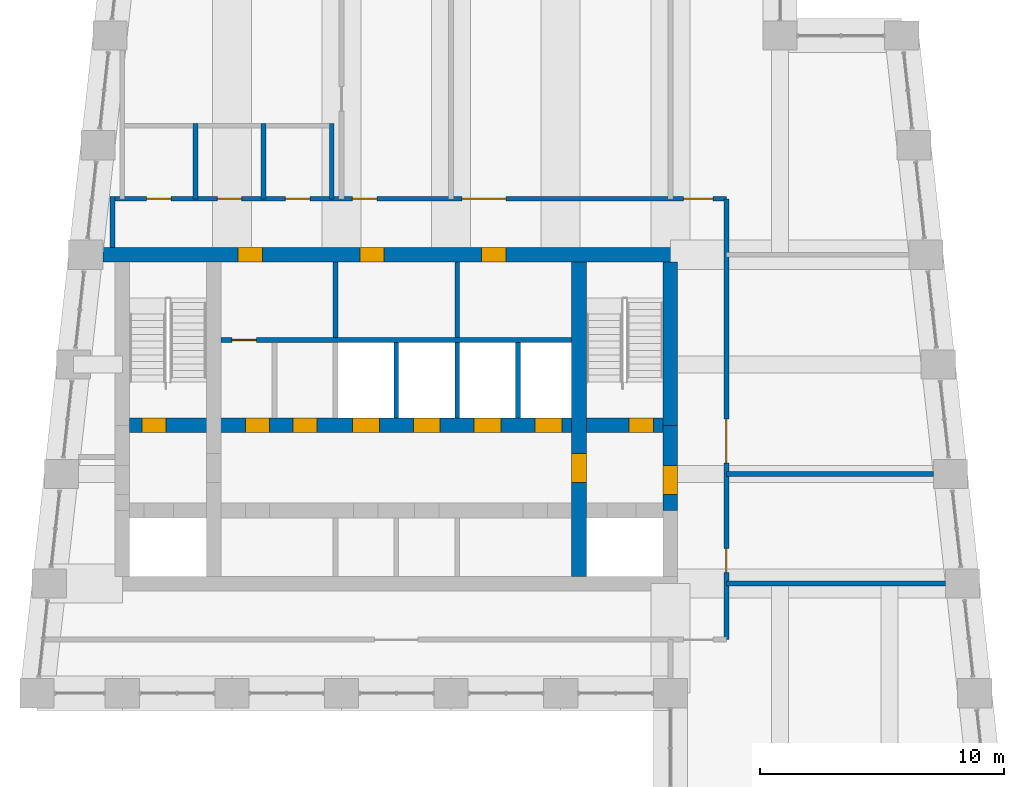
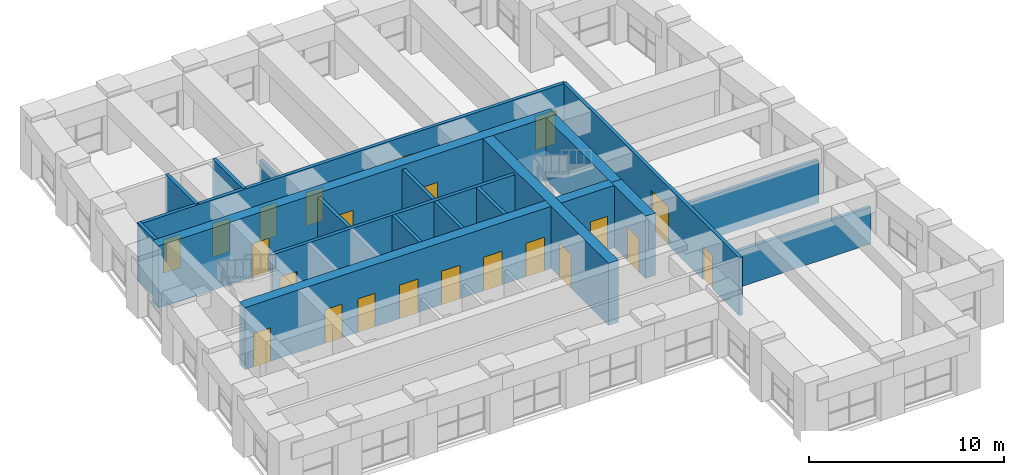
# One storey, part 13 of 15: 22 doors, 19 walls, 22 openings.
"""IFC4 building model written with IfcOpenShell, lengths in metres."""

from ifc_helpers import new_model, si_unit, direction, frame, frame_2d, origin, place, context, subcontext, project, spatial, rectangle, extrude, material, layer, layer_set, type_object, element, fill, save


model = new_model("IFC4")

# Units and contexts
model_context = context("Model", 3, precision=1e-05, world=origin(), true_north=direction((0.0, 1.0)))
body_context = subcontext(model_context, "Body", "Model", "MODEL_VIEW")
ifc_project = project(units=[si_unit("LENGTHUNIT", "METRE"), si_unit("AREAUNIT", "SQUARE_METRE"), si_unit("VOLUMEUNIT", "CUBIC_METRE"), si_unit("PLANEANGLEUNIT", "RADIAN"), si_unit("MASSUNIT", "GRAM", prefix="KILO")], contexts=[model_context])

# Site, building, storey
site_placement = place(None, origin())
site = spatial("IfcSite", under=ifc_project, at=site_placement, CompositionType="ELEMENT")
building_placement = place(site_placement, origin())
building = spatial("IfcBuilding", under=site, at=building_placement, Name="Kilele Tower Hotel", CompositionType="ELEMENT")
storey_placement = place(building_placement, frame((0.0, 0.0, 285.800048828125)))
storey = spatial("IfcBuildingStorey", under=building, at=storey_placement, Name="L73", CompositionType="ELEMENT", Elevation=285.800048828125)

# Wall, openings, doors
ifc_material_1 = material(Name="Concrete C60/75", Category="concrete")
ifc_layer_1 = layer(ifc_material_1, 0.60009765625)
ifc_layer_set_1 = layer_set([ifc_layer_1], Name="Concrete C60/75")
wall_type_1 = type_object("IfcWallType", Name="Core wall 600 C60/75", PredefinedType="SHEAR", material=ifc_layer_set_1)
wall_1_placement = place(storey_placement, frame((36.300048828125, 27.0, 0.0), z_axis=(0.0, 0.0, 1.0), x_axis=(-1.0, 0.0, 0.0)))
wall_1 = element("IfcWall", 1, at=wall_1_placement, inside=storey, type_object=wall_type_1, Name="Core wall N L73", PredefinedType="SHEAR", context=body_context, shape_type="SweptSolid", body=[
    extrude(rectangle(XDim=23.60009765625, YDim=0.60009765625, at=frame_2d((11.800048828125, 0.0))), origin(), (0.0, 0.0, 1.0), 3.89990234375),
])
opening_1_placement = place(wall_1_placement, frame((17.050048828125, 0.0, 0.0)))
opening_1 = element("IfcOpeningElement", 2, at=opening_1_placement, cuts=wall_1, Name="Opening D12", PredefinedType="OPENING", context=body_context, shape_type="SweptSolid", body=[
    extrude(rectangle(XDim=1.0, YDim=2.10009765625, at=frame_2d((0.5, 1.050048828125))), frame((0.0, 0.31005859375, 0.0), z_axis=(0.0, -1.0, 0.0), x_axis=(1.0, 0.0, 0.0)), (0.0, 0.0, 1.0), 0.6201171875),
])
opening_2_placement = place(wall_1_placement, frame((12.050048828125, 0.0, 0.0)))
opening_2 = element("IfcOpeningElement", 3, at=opening_2_placement, cuts=wall_1, Name="Opening D6", PredefinedType="OPENING", context=body_context, shape_type="SweptSolid", body=[
    extrude(rectangle(XDim=1.0, YDim=2.10009765625, at=frame_2d((0.5, 1.050048828125))), frame((0.0, 0.31005859375, 0.0), z_axis=(0.0, -1.0, 0.0), x_axis=(1.0, 0.0, 0.0)), (0.0, 0.0, 1.0), 0.6201171875),
])
opening_3_placement = place(wall_1_placement, frame((7.050048828125, 0.0, 0.0)))
opening_3 = element("IfcOpeningElement", 4, at=opening_3_placement, cuts=wall_1, Name="Opening D6", PredefinedType="OPENING", context=body_context, shape_type="SweptSolid", body=[
    extrude(rectangle(XDim=1.0, YDim=2.10009765625, at=frame_2d((0.5, 1.050048828125))), frame((0.0, 0.31005859375, 0.0), z_axis=(0.0, -1.0, 0.0), x_axis=(1.0, 0.0, 0.0)), (0.0, 0.0, 1.0), 0.6201171875),
])
ifc_material_2 = material(Name="Timber door leaf in hardwood frame", Category="wood")
door_type_1 = type_object("IfcDoorType", Name="Core lobby door 1000", OperationType="SINGLE_SWING_LEFT", PredefinedType="DOOR", material=ifc_material_2)
door_1_placement = place(opening_1_placement, origin())
door_1 = element("IfcDoor", 5, at=door_1_placement, inside=storey, type_object=door_type_1, Name="North lobby door L73", OperationType="SINGLE_SWING_RIGHT", OverallHeight=2.10009765625, OverallWidth=1.0, PredefinedType="DOOR", context=body_context, shape_type="SweptSolid", body=[
    extrude(rectangle(XDim=1.0, YDim=2.10009765625, at=frame_2d((0.5, 1.050048828125))), frame((0.0, 0.2998046875, 0.0), z_axis=(0.0, -1.0, 0.0), x_axis=(1.0, 0.0, 0.0)), (0.0, 0.0, 1.0), 0.599609375),
])
fill(opening_1, door_1)
ifc_material_3 = material(Name="Timber door leaf in hardwood frame", Category="wood")
door_type_2 = type_object("IfcDoorType", Name="Riser door 1000", OperationType="SINGLE_SWING_LEFT", PredefinedType="DOOR", material=ifc_material_3)
door_2_placement = place(opening_2_placement, origin())
door_2 = element("IfcDoor", 6, at=door_2_placement, inside=storey, type_object=door_type_2, Name="Linen store door L73", OperationType="SINGLE_SWING_RIGHT", OverallHeight=2.10009765625, OverallWidth=1.0, PredefinedType="DOOR", context=body_context, shape_type="SweptSolid", body=[
    extrude(rectangle(XDim=1.0, YDim=2.10009765625, at=frame_2d((0.5, 1.050048828125))), frame((0.0, 0.2998046875, 0.0), z_axis=(0.0, -1.0, 0.0), x_axis=(1.0, 0.0, 0.0)), (0.0, 0.0, 1.0), 0.599609375),
])
fill(opening_2, door_2)
door_3_placement = place(opening_3_placement, origin())
door_3 = element("IfcDoor", 7, at=door_3_placement, inside=storey, type_object=door_type_2, Name="Electrical riser door L73", OperationType="SINGLE_SWING_RIGHT", OverallHeight=2.10009765625, OverallWidth=1.0, PredefinedType="DOOR", context=body_context, shape_type="SweptSolid", body=[
    extrude(rectangle(XDim=1.0, YDim=2.10009765625, at=frame_2d((0.5, 1.050048828125))), frame((0.0, 0.2998046875, 0.0), z_axis=(0.0, -1.0, 0.0), x_axis=(1.0, 0.0, 0.0)), (0.0, 0.0, 1.0), 0.599609375),
])
fill(opening_3, door_3)

# Wall, opening, door
wall_2_placement = place(storey_placement, frame((32.25, 13.800048828125, 0.0), z_axis=(0.0, 0.0, 1.0), x_axis=(0.0, 1.0, 0.0)))
wall_2 = element("IfcWall", 8, at=wall_2_placement, inside=storey, type_object=wall_type_1, Name="Core wall IE L73", PredefinedType="SHEAR", context=body_context, shape_type="SweptSolid", body=[
    extrude(rectangle(XDim=12.89990234375, YDim=0.60009765625, at=frame_2d((6.449951171875, 0.0))), origin(), (0.0, 0.0, 1.0), 3.89990234375),
])
opening_4_placement = place(wall_2_placement, frame((5.050048828125, 0.0, 0.0), z_axis=(0.0, 0.0, 1.0), x_axis=(-1.0, 0.0, 0.0)))
opening_4 = element("IfcOpeningElement", 9, at=opening_4_placement, cuts=wall_2, Name="Opening D4", PredefinedType="OPENING", context=body_context, shape_type="SweptSolid", body=[
    extrude(rectangle(XDim=1.199951171875, YDim=2.10009765625, at=frame_2d((0.60009765625, 1.050048828125))), frame((0.0, 0.31005859375, 0.0), z_axis=(0.0, -1.0, 0.0), x_axis=(1.0, 0.0, 0.0)), (0.0, 0.0, 1.0), 0.6201171875),
])
ifc_material_4 = material(Name="Timber door leaf in hardwood frame", Category="wood")
door_type_3 = type_object("IfcDoorType", Name="Firefighting lobby door 1200", OperationType="SINGLE_SWING_LEFT", PredefinedType="DOOR", material=ifc_material_4)
door_4_placement = place(opening_4_placement, origin())
door_4 = element("IfcDoor", 10, at=door_4_placement, inside=storey, type_object=door_type_3, Name="Lobby door L73", OperationType="SINGLE_SWING_RIGHT", OverallHeight=2.10009765625, OverallWidth=1.199951171875, PredefinedType="DOOR", context=body_context, shape_type="SweptSolid", body=[
    extrude(rectangle(XDim=1.199951171875, YDim=2.10009765625, at=frame_2d((0.60009765625, 1.050048828125))), frame((0.0, 0.2998046875, 0.0), z_axis=(0.0, -1.0, 0.0), x_axis=(1.0, 0.0, 0.0)), (0.0, 0.0, 1.0), 0.599609375),
])
fill(opening_4, door_4)

# Wall, openings, doors
wall_3_placement = place(storey_placement, frame((13.800048828125, 20.0, 0.0), z_axis=(0.0, 0.0, 1.0), x_axis=(1.0, 0.0, 0.0)))
wall_3 = element("IfcWall", 11, at=wall_3_placement, inside=storey, type_object=wall_type_1, Name="Core wall LN L73", PredefinedType="SHEAR", context=body_context, shape_type="SweptSolid", body=[
    extrude(rectangle(XDim=21.89990234375, YDim=0.60009765625, at=frame_2d((10.949951171875, 0.0))), origin(), (0.0, 0.0, 1.0), 3.89990234375),
])
opening_5_placement = place(wall_3_placement, frame((0.5, 0.0, 0.0)))
opening_5 = element("IfcOpeningElement", 12, at=opening_5_placement, cuts=wall_3, Name="Opening D5", PredefinedType="OPENING", context=body_context, shape_type="SweptSolid", body=[
    extrude(rectangle(XDim=1.0, YDim=2.10009765625, at=frame_2d((0.5, 1.050048828125))), frame((0.0, 0.31005859375, 0.0), z_axis=(0.0, -1.0, 0.0), x_axis=(1.0, 0.0, 0.0)), (0.0, 0.0, 1.0), 0.6201171875),
])
opening_6_placement = place(wall_3_placement, frame((20.5, 0.0, 0.0)))
opening_6 = element("IfcOpeningElement", 13, at=opening_6_placement, cuts=wall_3, Name="Opening D5", PredefinedType="OPENING", context=body_context, shape_type="SweptSolid", body=[
    extrude(rectangle(XDim=1.0, YDim=2.10009765625, at=frame_2d((0.5, 1.050048828125))), frame((0.0, 0.31005859375, 0.0), z_axis=(0.0, -1.0, 0.0), x_axis=(1.0, 0.0, 0.0)), (0.0, 0.0, 1.0), 0.6201171875),
])
opening_7_placement = place(wall_3_placement, frame((9.14990234375, 0.0, 0.0)))
opening_7 = element("IfcOpeningElement", 14, at=opening_7_placement, cuts=wall_3, Name="Opening LD1", PredefinedType="OPENING", context=body_context, shape_type="SweptSolid", body=[
    extrude(rectangle(XDim=1.10009765625, YDim=2.10009765625, at=frame_2d((0.550048828125, 1.050048828125))), frame((0.0, 0.31005859375, 0.0), z_axis=(0.0, -1.0, 0.0), x_axis=(1.0, 0.0, 0.0)), (0.0, 0.0, 1.0), 0.6201171875),
])
opening_8_placement = place(wall_3_placement, frame((11.64990234375, 0.0, 0.0)))
opening_8 = element("IfcOpeningElement", 15, at=opening_8_placement, cuts=wall_3, Name="Opening LD1", PredefinedType="OPENING", context=body_context, shape_type="SweptSolid", body=[
    extrude(rectangle(XDim=1.10009765625, YDim=2.10009765625, at=frame_2d((0.550048828125, 1.050048828125))), frame((0.0, 0.31005859375, 0.0), z_axis=(0.0, -1.0, 0.0), x_axis=(1.0, 0.0, 0.0)), (0.0, 0.0, 1.0), 0.6201171875),
])
opening_9_placement = place(wall_3_placement, frame((14.14990234375, 0.0, 0.0)))
opening_9 = element("IfcOpeningElement", 16, at=opening_9_placement, cuts=wall_3, Name="Opening LD1", PredefinedType="OPENING", context=body_context, shape_type="SweptSolid", body=[
    extrude(rectangle(XDim=1.10009765625, YDim=2.10009765625, at=frame_2d((0.550048828125, 1.050048828125))), frame((0.0, 0.31005859375, 0.0), z_axis=(0.0, -1.0, 0.0), x_axis=(1.0, 0.0, 0.0)), (0.0, 0.0, 1.0), 0.6201171875),
])
opening_10_placement = place(wall_3_placement, frame((16.64990234375, 0.0, 0.0)))
opening_10 = element("IfcOpeningElement", 17, at=opening_10_placement, cuts=wall_3, Name="Opening LD1", PredefinedType="OPENING", context=body_context, shape_type="SweptSolid", body=[
    extrude(rectangle(XDim=1.10009765625, YDim=2.10009765625, at=frame_2d((0.550048828125, 1.050048828125))), frame((0.0, 0.31005859375, 0.0), z_axis=(0.0, -1.0, 0.0), x_axis=(1.0, 0.0, 0.0)), (0.0, 0.0, 1.0), 0.6201171875),
])
opening_11_placement = place(wall_3_placement, frame((5.75, 0.0, 0.0), z_axis=(0.0, 0.0, 1.0), x_axis=(-1.0, 0.0, 0.0)))
opening_11 = element("IfcOpeningElement", 18, at=opening_11_placement, cuts=wall_3, Name="Opening D12", PredefinedType="OPENING", context=body_context, shape_type="SweptSolid", body=[
    extrude(rectangle(XDim=1.0, YDim=2.10009765625, at=frame_2d((0.5, 1.050048828125))), frame((0.0, 0.31005859375, 0.0), z_axis=(0.0, -1.0, 0.0), x_axis=(1.0, 0.0, 0.0)), (0.0, 0.0, 1.0), 0.6201171875),
])
opening_12_placement = place(wall_3_placement, frame((6.699951171875, 0.0, 0.0)))
opening_12 = element("IfcOpeningElement", 19, at=opening_12_placement, cuts=wall_3, Name="Opening D11", PredefinedType="OPENING", context=body_context, shape_type="SweptSolid", body=[
    extrude(rectangle(XDim=1.0, YDim=2.10009765625, at=frame_2d((0.5, 1.050048828125))), frame((0.0, 0.31005859375, 0.0), z_axis=(0.0, -1.0, 0.0), x_axis=(1.0, 0.0, 0.0)), (0.0, 0.0, 1.0), 0.6201171875),
])
door_5_placement = place(opening_11_placement, origin())
door_5 = element("IfcDoor", 20, at=door_5_placement, inside=storey, type_object=door_type_1, Name="Core passage door L73", OperationType="SINGLE_SWING_RIGHT", OverallHeight=2.10009765625, OverallWidth=1.0, PredefinedType="DOOR", context=body_context, shape_type="SweptSolid", body=[
    extrude(rectangle(XDim=1.0, YDim=2.10009765625, at=frame_2d((0.5, 1.050048828125))), frame((0.0, 0.2998046875, 0.0), z_axis=(0.0, -1.0, 0.0), x_axis=(1.0, 0.0, 0.0)), (0.0, 0.0, 1.0), 0.599609375),
])
fill(opening_11, door_5)
ifc_material_5 = material(Name="Timber door leaf in hardwood frame", Category="wood")
door_type_4 = type_object("IfcDoorType", Name="Core store door 1000", OperationType="SINGLE_SWING_LEFT", PredefinedType="DOOR", material=ifc_material_5)
door_6_placement = place(opening_12_placement, origin())
door_6 = element("IfcDoor", 21, at=door_6_placement, inside=storey, type_object=door_type_4, Name="Core room door S2 L73", OperationType="SINGLE_SWING_LEFT", OverallHeight=2.10009765625, OverallWidth=1.0, PredefinedType="DOOR", context=body_context, shape_type="SweptSolid", body=[
    extrude(rectangle(XDim=1.0, YDim=2.10009765625, at=frame_2d((0.5, 1.050048828125))), frame((0.0, 0.2998046875, 0.0), z_axis=(0.0, -1.0, 0.0), x_axis=(1.0, 0.0, 0.0)), (0.0, 0.0, 1.0), 0.599609375),
])
fill(opening_12, door_6)
ifc_material_6 = material(Name="Steel lift landing door", Category="steel")
door_type_5 = type_object("IfcDoorType", Name="Lift landing door 1100", OperationType="SLIDING_TO_LEFT", PredefinedType="DOOR", material=ifc_material_6)
door_7_placement = place(opening_7_placement, origin())
door_7 = element("IfcDoor", 22, at=door_7_placement, inside=storey, type_object=door_type_5, Name="Landing door H1 L73", OperationType="SLIDING_TO_LEFT", OverallHeight=2.10009765625, OverallWidth=1.10009765625, PredefinedType="DOOR", context=body_context, shape_type="SweptSolid", body=[
    extrude(rectangle(XDim=1.10009765625, YDim=2.10009765625, at=frame_2d((0.550048828125, 1.050048828125))), frame((0.0, 0.2998046875, 0.0), z_axis=(0.0, -1.0, 0.0), x_axis=(1.0, 0.0, 0.0)), (0.0, 0.0, 1.0), 0.599609375),
])
fill(opening_7, door_7)
door_8_placement = place(opening_8_placement, origin())
door_8 = element("IfcDoor", 23, at=door_8_placement, inside=storey, type_object=door_type_5, Name="Landing door H2 L73", OperationType="SLIDING_TO_LEFT", OverallHeight=2.10009765625, OverallWidth=1.10009765625, PredefinedType="DOOR", context=body_context, shape_type="SweptSolid", body=[
    extrude(rectangle(XDim=1.10009765625, YDim=2.10009765625, at=frame_2d((0.550048828125, 1.050048828125))), frame((0.0, 0.2998046875, 0.0), z_axis=(0.0, -1.0, 0.0), x_axis=(1.0, 0.0, 0.0)), (0.0, 0.0, 1.0), 0.599609375),
])
fill(opening_8, door_8)
door_9_placement = place(opening_9_placement, origin())
door_9 = element("IfcDoor", 24, at=door_9_placement, inside=storey, type_object=door_type_5, Name="Landing door H3 L73", OperationType="SLIDING_TO_LEFT", OverallHeight=2.10009765625, OverallWidth=1.10009765625, PredefinedType="DOOR", context=body_context, shape_type="SweptSolid", body=[
    extrude(rectangle(XDim=1.10009765625, YDim=2.10009765625, at=frame_2d((0.550048828125, 1.050048828125))), frame((0.0, 0.2998046875, 0.0), z_axis=(0.0, -1.0, 0.0), x_axis=(1.0, 0.0, 0.0)), (0.0, 0.0, 1.0), 0.599609375),
])
fill(opening_9, door_9)
door_10_placement = place(opening_10_placement, origin())
door_10 = element("IfcDoor", 25, at=door_10_placement, inside=storey, type_object=door_type_5, Name="Landing door G1 L73", OperationType="SLIDING_TO_LEFT", OverallHeight=2.10009765625, OverallWidth=1.10009765625, PredefinedType="DOOR", context=body_context, shape_type="SweptSolid", body=[
    extrude(rectangle(XDim=1.10009765625, YDim=2.10009765625, at=frame_2d((0.550048828125, 1.050048828125))), frame((0.0, 0.2998046875, 0.0), z_axis=(0.0, -1.0, 0.0), x_axis=(1.0, 0.0, 0.0)), (0.0, 0.0, 1.0), 0.599609375),
])
fill(opening_10, door_10)
ifc_material_7 = material(Name="Timber door leaf in hardwood frame", Category="wood")
door_type_6 = type_object("IfcDoorType", Name="Stair door 1000", OperationType="SINGLE_SWING_LEFT", PredefinedType="DOOR", material=ifc_material_7)
door_11_placement = place(opening_5_placement, origin())
door_11 = element("IfcDoor", 26, at=door_11_placement, inside=storey, type_object=door_type_6, Name="Stair 1 door L73", OperationType="SINGLE_SWING_LEFT", OverallHeight=2.10009765625, OverallWidth=1.0, PredefinedType="DOOR", context=body_context, shape_type="SweptSolid", body=[
    extrude(rectangle(XDim=1.0, YDim=2.10009765625, at=frame_2d((0.5, 1.050048828125))), frame((0.0, 0.2998046875, 0.0), z_axis=(0.0, -1.0, 0.0), x_axis=(1.0, 0.0, 0.0)), (0.0, 0.0, 1.0), 0.599609375),
])
fill(opening_5, door_11)
door_12_placement = place(opening_6_placement, origin())
door_12 = element("IfcDoor", 27, at=door_12_placement, inside=storey, type_object=door_type_6, Name="Stair 2 door L73", OperationType="SINGLE_SWING_RIGHT", OverallHeight=2.10009765625, OverallWidth=1.0, PredefinedType="DOOR", context=body_context, shape_type="SweptSolid", body=[
    extrude(rectangle(XDim=1.0, YDim=2.10009765625, at=frame_2d((0.5, 1.050048828125))), frame((0.0, 0.2998046875, 0.0), z_axis=(0.0, -1.0, 0.0), x_axis=(1.0, 0.0, 0.0)), (0.0, 0.0, 1.0), 0.599609375),
])
fill(opening_6, door_12)

# Wall, opening, door
wall_4_placement = place(storey_placement, frame((36.0, 16.5, 0.0), z_axis=(0.0, 0.0, 1.0), x_axis=(0.0, 1.0, 0.0)))
wall_4 = element("IfcWall", 28, at=wall_4_placement, inside=storey, type_object=wall_type_1, Name="Core wall E2 L73", PredefinedType="SHEAR", context=body_context, shape_type="SweptSolid", body=[
    extrude(rectangle(XDim=3.5, YDim=0.60009765625, at=frame_2d((1.75, 0.0))), origin(), (0.0, 0.0, 1.0), 3.89990234375),
])
opening_13_placement = place(wall_4_placement, frame((0.64990234375, 0.0, 0.0)))
opening_13 = element("IfcOpeningElement", 29, at=opening_13_placement, cuts=wall_4, Name="Opening D4", PredefinedType="OPENING", context=body_context, shape_type="SweptSolid", body=[
    extrude(rectangle(XDim=1.199951171875, YDim=2.10009765625, at=frame_2d((0.60009765625, 1.050048828125))), frame((0.0, 0.31005859375, 0.0), z_axis=(0.0, -1.0, 0.0), x_axis=(1.0, 0.0, 0.0)), (0.0, 0.0, 1.0), 0.6201171875),
])
door_13_placement = place(opening_13_placement, origin())
door_13 = element("IfcDoor", 30, at=door_13_placement, inside=storey, type_object=door_type_3, Name="Lobby door L73", OperationType="SINGLE_SWING_LEFT", OverallHeight=2.10009765625, OverallWidth=1.199951171875, PredefinedType="DOOR", context=body_context, shape_type="SweptSolid", body=[
    extrude(rectangle(XDim=1.199951171875, YDim=2.10009765625, at=frame_2d((0.60009765625, 1.050048828125))), frame((0.0, 0.2998046875, 0.0), z_axis=(0.0, -1.0, 0.0), x_axis=(1.0, 0.0, 0.0)), (0.0, 0.0, 1.0), 0.599609375),
])
fill(opening_13, door_13)

# Wall
wall_5_placement = place(storey_placement, frame((36.0, 20.0, 0.0), z_axis=(0.0, 0.0, 1.0), x_axis=(0.0, 1.0, 0.0)))
element("IfcWall", 31, at=wall_5_placement, inside=storey, type_object=wall_type_1, Name="Core wall E3 L73", PredefinedType="SHEAR", context=body_context, shape_type="SweptSolid", body=[
    extrude(rectangle(XDim=6.699951171875, YDim=0.60009765625, at=frame_2d((3.35009765625, 0.0))), origin(), (0.0, 0.0, 1.0), 3.89990234375),
])

# Wall, openings, doors
ifc_material_8 = material(Name="Blockwork, plastered both sides", Category="masonry")
ifc_layer_2 = layer(ifc_material_8, 0.199951171875)
ifc_layer_set_2 = layer_set([ifc_layer_2], Name="Blockwork, plastered both sides")
wall_type_2 = type_object("IfcWallType", Name="Corridor wall 200", PredefinedType="PARTITIONING", material=ifc_layer_set_2)
wall_6_placement = place(storey_placement, frame((38.300048828125, 11.199951171875, 0.0), z_axis=(0.0, 0.0, 1.0), x_axis=(0.0, 1.0, 0.0)))
wall_6 = element("IfcWall", 32, at=wall_6_placement, inside=storey, type_object=wall_type_2, Name="Corridor wall 200 L73", PredefinedType="PARTITIONING", context=body_context, shape_type="SweptSolid", body=[
    extrude(rectangle(XDim=18.10009765625, YDim=0.199951171875, at=frame_2d((9.050048828125, 0.0))), origin(), (0.0, 0.0, 1.0), 3.64990234375),
])
opening_14_placement = place(wall_6_placement, frame((3.75, 0.0, 0.0), z_axis=(0.0, 0.0, 1.0), x_axis=(-1.0, 0.0, 0.0)))
opening_14 = element("IfcOpeningElement", 33, at=opening_14_placement, cuts=wall_6, Name="Opening D8", PredefinedType="OPENING", context=body_context, shape_type="SweptSolid", body=[
    extrude(rectangle(XDim=1.0, YDim=2.10009765625, at=frame_2d((0.5, 1.050048828125))), frame((0.0, 0.10986328125, 0.0), z_axis=(0.0, -1.0, 0.0), x_axis=(1.0, 0.0, 0.0)), (0.0, 0.0, 1.0), 0.219970703125),
])
opening_15_placement = place(wall_6_placement, frame((9.050048828125, 0.0, 0.0), z_axis=(0.0, 0.0, 1.0), x_axis=(-1.0, 0.0, 0.0)))
opening_15 = element("IfcOpeningElement", 34, at=opening_15_placement, cuts=wall_6, Name="Opening D9", PredefinedType="OPENING", context=body_context, shape_type="SweptSolid", body=[
    extrude(rectangle(XDim=1.800048828125, YDim=2.39990234375, at=frame_2d((0.89990234375, 1.199951171875))), frame((0.0, 0.10986328125, 0.0), z_axis=(0.0, -1.0, 0.0), x_axis=(1.0, 0.0, 0.0)), (0.0, 0.0, 1.0), 0.219970703125),
])
ifc_material_9 = material(Name="Timber door leaf in hardwood frame", Category="wood")
door_type_7 = type_object("IfcDoorType", Name="Door 1000", OperationType="SINGLE_SWING_LEFT", PredefinedType="DOOR", material=ifc_material_9)
door_14_placement = place(opening_14_placement, origin())
door_14 = element("IfcDoor", 35, at=door_14_placement, inside=storey, type_object=door_type_7, Name="Door Bar pantry 7301", OperationType="SINGLE_SWING_RIGHT", OverallHeight=2.10009765625, OverallWidth=1.0, PredefinedType="DOOR", context=body_context, shape_type="SweptSolid", body=[
    extrude(rectangle(XDim=1.0, YDim=2.10009765625, at=frame_2d((0.5, 1.050048828125))), frame((0.0, 0.02490234375, 0.0), z_axis=(0.0, -1.0, 0.0), x_axis=(1.0, 0.0, 0.0)), (0.0, 0.0, 1.0), 0.050048828125),
])
fill(opening_14, door_14)
ifc_material_10 = material(Name="Timber door leaf in hardwood frame", Category="wood")
door_type_8 = type_object("IfcDoorType", Name="Double door 1800", OperationType="DOUBLE_DOOR_SINGLE_SWING", PredefinedType="DOOR", material=ifc_material_10)
door_15_placement = place(opening_15_placement, origin())
door_15 = element("IfcDoor", 36, at=door_15_placement, inside=storey, type_object=door_type_8, Name="Door Champagne lounge 7302", OperationType="DOUBLE_DOOR_SINGLE_SWING", OverallHeight=2.39990234375, OverallWidth=1.800048828125, PredefinedType="DOOR", context=body_context, shape_type="SweptSolid", body=[
    extrude(rectangle(XDim=1.800048828125, YDim=2.39990234375, at=frame_2d((0.89990234375, 1.199951171875))), frame((0.0, 0.02490234375, 0.0), z_axis=(0.0, -1.0, 0.0), x_axis=(1.0, 0.0, 0.0)), (0.0, 0.0, 1.0), 0.050048828125),
])
fill(opening_15, door_15)

wall_7_placement = place(storey_placement, frame((13.0, 29.300048828125, 0.0), z_axis=(0.0, 0.0, 1.0), x_axis=(1.0, 0.0, 0.0)))
wall_7 = element("IfcWall", 37, at=wall_7_placement, inside=storey, type_object=wall_type_2, Name="Corridor wall 200 L73", PredefinedType="PARTITIONING", context=body_context, shape_type="SweptSolid", body=[
    extrude(rectangle(XDim=25.300048828125, YDim=0.199951171875, at=frame_2d((12.64990234375, 0.0))), origin(), (0.0, 0.0, 1.0), 3.64990234375),
])
opening_16_placement = place(wall_7_placement, frame((1.5, 0.0, 0.0)))
opening_16 = element("IfcOpeningElement", 38, at=opening_16_placement, cuts=wall_7, Name="Opening D8", PredefinedType="OPENING", context=body_context, shape_type="SweptSolid", body=[
    extrude(rectangle(XDim=1.0, YDim=2.10009765625, at=frame_2d((0.5, 1.050048828125))), frame((0.0, 0.10986328125, 0.0), z_axis=(0.0, -1.0, 0.0), x_axis=(1.0, 0.0, 0.0)), (0.0, 0.0, 1.0), 0.219970703125),
])
opening_17_placement = place(wall_7_placement, frame((4.39990234375, 0.0, 0.0)))
opening_17 = element("IfcOpeningElement", 39, at=opening_17_placement, cuts=wall_7, Name="Opening D8", PredefinedType="OPENING", context=body_context, shape_type="SweptSolid", body=[
    extrude(rectangle(XDim=1.0, YDim=2.10009765625, at=frame_2d((0.5, 1.050048828125))), frame((0.0, 0.10986328125, 0.0), z_axis=(0.0, -1.0, 0.0), x_axis=(1.0, 0.0, 0.0)), (0.0, 0.0, 1.0), 0.219970703125),
])
opening_18_placement = place(wall_7_placement, frame((7.199951171875, 0.0, 0.0)))
opening_18 = element("IfcOpeningElement", 40, at=opening_18_placement, cuts=wall_7, Name="Opening D8", PredefinedType="OPENING", context=body_context, shape_type="SweptSolid", body=[
    extrude(rectangle(XDim=1.0, YDim=2.10009765625, at=frame_2d((0.5, 1.050048828125))), frame((0.0, 0.10986328125, 0.0), z_axis=(0.0, -1.0, 0.0), x_axis=(1.0, 0.0, 0.0)), (0.0, 0.0, 1.0), 0.219970703125),
])
opening_19_placement = place(wall_7_placement, frame((9.949951171875, 0.0, 0.0)))
opening_19 = element("IfcOpeningElement", 41, at=opening_19_placement, cuts=wall_7, Name="Opening D8", PredefinedType="OPENING", context=body_context, shape_type="SweptSolid", body=[
    extrude(rectangle(XDim=1.0, YDim=2.10009765625, at=frame_2d((0.5, 1.050048828125))), frame((0.0, 0.10986328125, 0.0), z_axis=(0.0, -1.0, 0.0), x_axis=(1.0, 0.0, 0.0)), (0.0, 0.0, 1.0), 0.219970703125),
])
opening_20_placement = place(wall_7_placement, frame((16.25, 0.0, 0.0), z_axis=(0.0, 0.0, 1.0), x_axis=(-1.0, 0.0, 0.0)))
opening_20 = element("IfcOpeningElement", 42, at=opening_20_placement, cuts=wall_7, Name="Opening D9", PredefinedType="OPENING", context=body_context, shape_type="SweptSolid", body=[
    extrude(rectangle(XDim=1.800048828125, YDim=2.39990234375, at=frame_2d((0.89990234375, 1.199951171875))), frame((0.0, 0.10986328125, 0.0), z_axis=(0.0, -1.0, 0.0), x_axis=(1.0, 0.0, 0.0)), (0.0, 0.0, 1.0), 0.219970703125),
])
opening_21_placement = place(wall_7_placement, frame((24.75, 0.0, 0.0), z_axis=(0.0, 0.0, 1.0), x_axis=(-1.0, 0.0, 0.0)))
opening_21 = element("IfcOpeningElement", 43, at=opening_21_placement, cuts=wall_7, Name="Opening D8A", PredefinedType="OPENING", context=body_context, shape_type="SweptSolid", body=[
    extrude(rectangle(XDim=1.199951171875, YDim=2.10009765625, at=frame_2d((0.60009765625, 1.050048828125))), frame((0.0, 0.10986328125, 0.0), z_axis=(0.0, -1.0, 0.0), x_axis=(1.0, 0.0, 0.0)), (0.0, 0.0, 1.0), 0.219970703125),
])
door_16_placement = place(opening_16_placement, origin())
door_16 = element("IfcDoor", 44, at=door_16_placement, inside=storey, type_object=door_type_7, Name="Door WC men 7303", OperationType="SINGLE_SWING_LEFT", OverallHeight=2.10009765625, OverallWidth=1.0, PredefinedType="DOOR", context=body_context, shape_type="SweptSolid", body=[
    extrude(rectangle(XDim=1.0, YDim=2.10009765625, at=frame_2d((0.5, 1.050048828125))), frame((0.0, 0.02490234375, 0.0), z_axis=(0.0, -1.0, 0.0), x_axis=(1.0, 0.0, 0.0)), (0.0, 0.0, 1.0), 0.050048828125),
])
fill(opening_16, door_16)
door_17_placement = place(opening_17_placement, origin())
door_17 = element("IfcDoor", 45, at=door_17_placement, inside=storey, type_object=door_type_7, Name="Door WC women 7304", OperationType="SINGLE_SWING_LEFT", OverallHeight=2.10009765625, OverallWidth=1.0, PredefinedType="DOOR", context=body_context, shape_type="SweptSolid", body=[
    extrude(rectangle(XDim=1.0, YDim=2.10009765625, at=frame_2d((0.5, 1.050048828125))), frame((0.0, 0.02490234375, 0.0), z_axis=(0.0, -1.0, 0.0), x_axis=(1.0, 0.0, 0.0)), (0.0, 0.0, 1.0), 0.050048828125),
])
fill(opening_17, door_17)
door_18_placement = place(opening_18_placement, origin())
door_18 = element("IfcDoor", 46, at=door_18_placement, inside=storey, type_object=door_type_7, Name="Door Accessible WC 7305", OperationType="SINGLE_SWING_LEFT", OverallHeight=2.10009765625, OverallWidth=1.0, PredefinedType="DOOR", context=body_context, shape_type="SweptSolid", body=[
    extrude(rectangle(XDim=1.0, YDim=2.10009765625, at=frame_2d((0.5, 1.050048828125))), frame((0.0, 0.02490234375, 0.0), z_axis=(0.0, -1.0, 0.0), x_axis=(1.0, 0.0, 0.0)), (0.0, 0.0, 1.0), 0.050048828125),
])
fill(opening_18, door_18)
door_19_placement = place(opening_19_placement, origin())
door_19 = element("IfcDoor", 47, at=door_19_placement, inside=storey, type_object=door_type_7, Name="Door Bar back-of-house 7307", OperationType="SINGLE_SWING_LEFT", OverallHeight=2.10009765625, OverallWidth=1.0, PredefinedType="DOOR", context=body_context, shape_type="SweptSolid", body=[
    extrude(rectangle(XDim=1.0, YDim=2.10009765625, at=frame_2d((0.5, 1.050048828125))), frame((0.0, 0.02490234375, 0.0), z_axis=(0.0, -1.0, 0.0), x_axis=(1.0, 0.0, 0.0)), (0.0, 0.0, 1.0), 0.050048828125),
])
fill(opening_19, door_19)
ifc_material_11 = material(Name="Timber door leaf in hardwood frame", Category="wood")
door_type_9 = type_object("IfcDoorType", Name="Door 1200", OperationType="SINGLE_SWING_LEFT", PredefinedType="DOOR", material=ifc_material_11)
door_20_placement = place(opening_21_placement, origin())
door_20 = element("IfcDoor", 48, at=door_20_placement, inside=storey, type_object=door_type_9, Name="Door Cocktail bar 7310", OperationType="SINGLE_SWING_LEFT", OverallHeight=2.10009765625, OverallWidth=1.199951171875, PredefinedType="DOOR", context=body_context, shape_type="SweptSolid", body=[
    extrude(rectangle(XDim=1.199951171875, YDim=2.10009765625, at=frame_2d((0.60009765625, 1.050048828125))), frame((0.0, 0.02490234375, 0.0), z_axis=(0.0, -1.0, 0.0), x_axis=(1.0, 0.0, 0.0)), (0.0, 0.0, 1.0), 0.050048828125),
])
fill(opening_21, door_20)
door_21_placement = place(opening_20_placement, origin())
door_21 = element("IfcDoor", 49, at=door_21_placement, inside=storey, type_object=door_type_8, Name="Door Cigar and whisky lounge 7308", OperationType="DOUBLE_DOOR_SINGLE_SWING", OverallHeight=2.39990234375, OverallWidth=1.800048828125, PredefinedType="DOOR", context=body_context, shape_type="SweptSolid", body=[
    extrude(rectangle(XDim=1.800048828125, YDim=2.39990234375, at=frame_2d((0.89990234375, 1.199951171875))), frame((0.0, 0.02490234375, 0.0), z_axis=(0.0, -1.0, 0.0), x_axis=(1.0, 0.0, 0.0)), (0.0, 0.0, 1.0), 0.050048828125),
])
fill(opening_20, door_21)

# Walls
ifc_material_12 = material(Name="Blockwork, plastered both sides", Category="masonry")
ifc_layer_3 = layer(ifc_material_12, 0.199951171875)
ifc_layer_set_3 = layer_set([ifc_layer_3], Name="Blockwork, plastered both sides")
wall_type_3 = type_object("IfcWallType", Name="Partition wall 200", PredefinedType="PARTITIONING", material=ifc_layer_set_3)
wall_8_placement = place(storey_placement, frame((38.300048828125, 13.5, 0.0), z_axis=(0.0, 0.0, 1.0), x_axis=(1.0, 0.0, 0.0)))
element("IfcWall", 50, at=wall_8_placement, inside=storey, type_object=wall_type_3, Name="Partition wall 200 L73", PredefinedType="PARTITIONING", context=body_context, shape_type="SweptSolid", body=[
    extrude(rectangle(XDim=8.9990234375, YDim=0.199951171875, at=frame_2d((4.49951171875, 0.0))), origin(), (0.0, 0.0, 1.0), 2.300048828125),
])
wall_9_placement = place(storey_placement, frame((38.300048828125, 18.0, 0.0), z_axis=(0.0, 0.0, 1.0), x_axis=(1.0, 0.0, 0.0)))
element("IfcWall", 51, at=wall_9_placement, inside=storey, type_object=wall_type_3, Name="Partition wall 200 L73", PredefinedType="PARTITIONING", context=body_context, shape_type="SweptSolid", body=[
    extrude(rectangle(XDim=8.4990234375, YDim=0.199951171875, at=frame_2d((4.24951171875, 0.0))), origin(), (0.0, 0.0, 1.0), 2.699951171875),
])
for number, where, z_axis, x_axis, name in (
    (52, (16.5, 29.300048828125, 0.0), (0.0, 0.0, 1.0), (0.0, 1.0, 0.0), "Partition wall 200 L73"),
    (53, (19.300048828125, 29.300048828125, 0.0), (0.0, 0.0, 1.0), (0.0, 1.0, 0.0), "Partition wall 200 L73"),
):
    element("IfcWall", number, at=place(storey_placement, frame(where, z_axis=z_axis, x_axis=x_axis)), inside=storey, type_object=wall_type_3, Name=name, PredefinedType="PARTITIONING", context=body_context, shape_type="SweptSolid", body=[
        extrude(rectangle(XDim=3.099853515625, YDim=0.199951171875, at=frame_2d((1.5498046875, 0.0))), origin(), (0.0, 0.0, 1.0), 3.64990234375),
    ])
wall_10_placement = place(storey_placement, frame((22.10009765625, 29.300048828125, 0.0), z_axis=(0.0, 0.0, 1.0), x_axis=(0.0, 1.0, 0.0)))
element("IfcWall", 54, at=wall_10_placement, inside=storey, type_object=wall_type_3, Name="Partition wall 200 L73", PredefinedType="PARTITIONING", context=body_context, shape_type="SweptSolid", body=[
    extrude(rectangle(XDim=3.099853515625, YDim=0.199951171875, at=frame_2d((1.5498046875, 0.0))), origin(), (0.0, 0.0, 1.0), 2.599853515625),
])
wall_11_placement = place(storey_placement, frame((13.10009765625, 27.300048828125, 0.0), z_axis=(0.0, 0.0, 1.0), x_axis=(0.0, 1.0, 0.0)))
element("IfcWall", 55, at=wall_11_placement, inside=storey, type_object=wall_type_3, Name="Partition wall 200 L73", PredefinedType="PARTITIONING", context=body_context, shape_type="SweptSolid", body=[
    extrude(rectangle(XDim=2.099853515625, YDim=0.199951171875, at=frame_2d((1.0498046875, 0.0))), origin(), (0.0, 0.0, 1.0), 3.64990234375),
])
ifc_material_13 = material(Name="Blockwork, fire-rated", Category="masonry")
ifc_layer_4 = layer(ifc_material_13, 0.199951171875)
ifc_layer_set_4 = layer_set([ifc_layer_4], Name="Blockwork, fire-rated")
wall_type_4 = type_object("IfcWallType", Name="Shaft wall 200", PredefinedType="PARTITIONING", material=ifc_layer_set_4)
for number, where, z_axis, x_axis, name in (
    (56, (24.75, 20.300048828125, 0.0), (0.0, 0.0, 1.0), (0.0, 1.0, 0.0), "Shaft wall 200 L73"),
    (57, (27.25, 20.300048828125, 0.0), (0.0, 0.0, 1.0), (0.0, 1.0, 0.0), "Shaft wall 200 L73"),
    (58, (29.75, 20.300048828125, 0.0), (0.0, 0.0, 1.0), (0.0, 1.0, 0.0), "Shaft wall 200 L73"),
):
    element("IfcWall", number, at=place(storey_placement, frame(where, z_axis=z_axis, x_axis=x_axis)), inside=storey, type_object=wall_type_4, Name=name, PredefinedType="PARTITIONING", context=body_context, shape_type="SweptSolid", body=[
        extrude(rectangle(XDim=3.099853515625, YDim=0.199951171875, at=frame_2d((1.5498046875, 0.0))), origin(), (0.0, 0.0, 1.0), 3.64990234375),
    ])

# Wall, opening, door
wall_12_placement = place(storey_placement, frame((17.550048828125, 23.5, 0.0), z_axis=(0.0, 0.0, 1.0), x_axis=(1.0, 0.0, 0.0)))
wall_12 = element("IfcWall", 59, at=wall_12_placement, inside=storey, type_object=wall_type_4, Name="Shaft wall 200 L73", PredefinedType="PARTITIONING", context=body_context, shape_type="SweptSolid", body=[
    extrude(rectangle(XDim=14.39990234375, YDim=0.199951171875, at=frame_2d((7.199951171875, 0.0))), origin(), (0.0, 0.0, 1.0), 3.64990234375),
])
opening_22_placement = place(wall_12_placement, frame((0.449951171875, 0.0, 0.0)))
opening_22 = element("IfcOpeningElement", 60, at=opening_22_placement, cuts=wall_12, Name="Opening D12", PredefinedType="OPENING", context=body_context, shape_type="SweptSolid", body=[
    extrude(rectangle(XDim=1.0, YDim=2.10009765625, at=frame_2d((0.5, 1.050048828125))), frame((0.0, 0.10986328125, 0.0), z_axis=(0.0, -1.0, 0.0), x_axis=(1.0, 0.0, 0.0)), (0.0, 0.0, 1.0), 0.219970703125),
])
door_22_placement = place(opening_22_placement, origin())
door_22 = element("IfcDoor", 61, at=door_22_placement, inside=storey, type_object=door_type_1, Name="Core passage door", OperationType="SINGLE_SWING_LEFT", OverallHeight=2.10009765625, OverallWidth=1.0, PredefinedType="DOOR", context=body_context, shape_type="SweptSolid", body=[
    extrude(rectangle(XDim=1.0, YDim=2.10009765625, at=frame_2d((0.5, 1.050048828125))), frame((0.0, 0.02490234375, 0.0), z_axis=(0.0, -1.0, 0.0), x_axis=(1.0, 0.0, 0.0)), (0.0, 0.0, 1.0), 0.050048828125),
])
fill(opening_22, door_22)

# Walls
for number, where, z_axis, x_axis, name in (
    (62, (22.25, 23.60009765625, 0.0), (0.0, 0.0, 1.0), (0.0, 1.0, 0.0), "Shaft wall 200 L73"),
    (63, (27.25, 23.60009765625, 0.0), (0.0, 0.0, 1.0), (0.0, 1.0, 0.0), "Shaft wall 200 L73"),
):
    element("IfcWall", number, at=place(storey_placement, frame(where, z_axis=z_axis, x_axis=x_axis)), inside=storey, type_object=wall_type_4, Name=name, PredefinedType="PARTITIONING", context=body_context, shape_type="SweptSolid", body=[
        extrude(rectangle(XDim=3.099853515625, YDim=0.199951171875, at=frame_2d((1.5498046875, 0.0))), origin(), (0.0, 0.0, 1.0), 3.64990234375),
    ])

save(model, "model.ifc")
